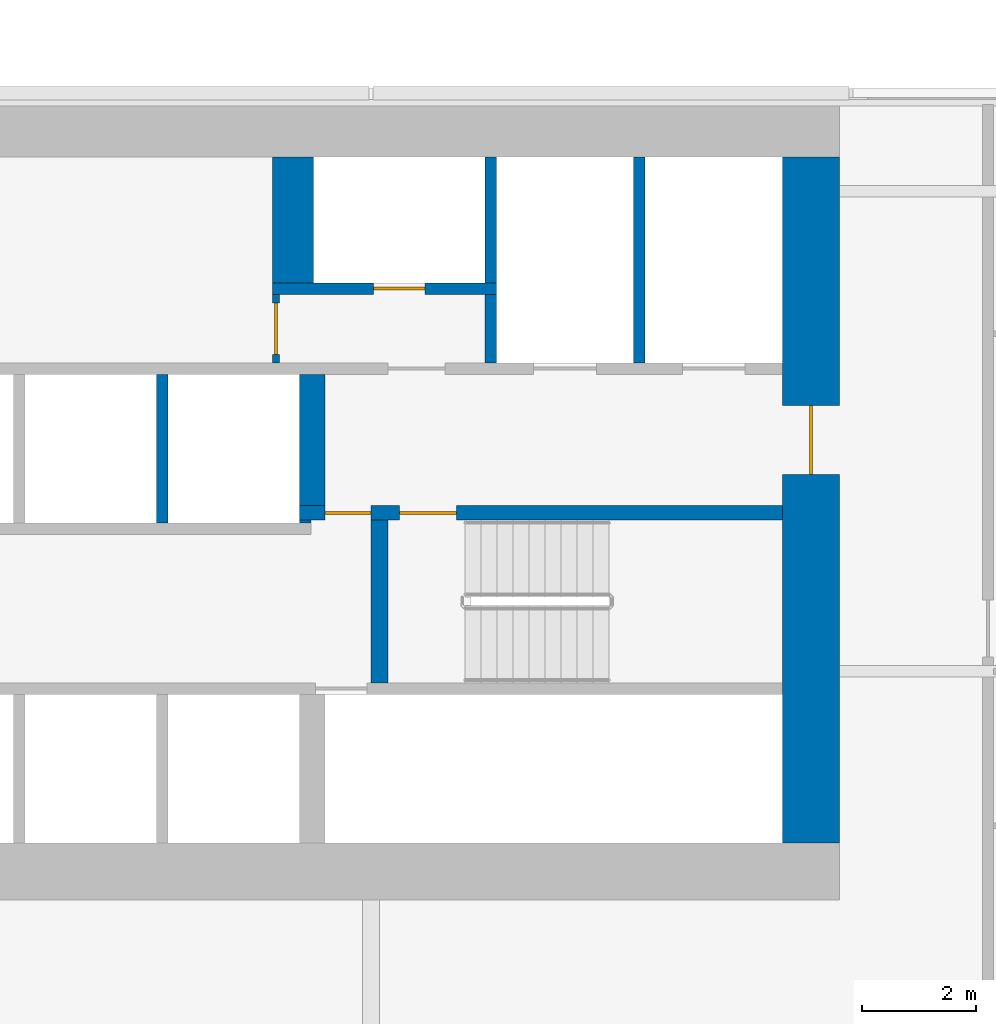
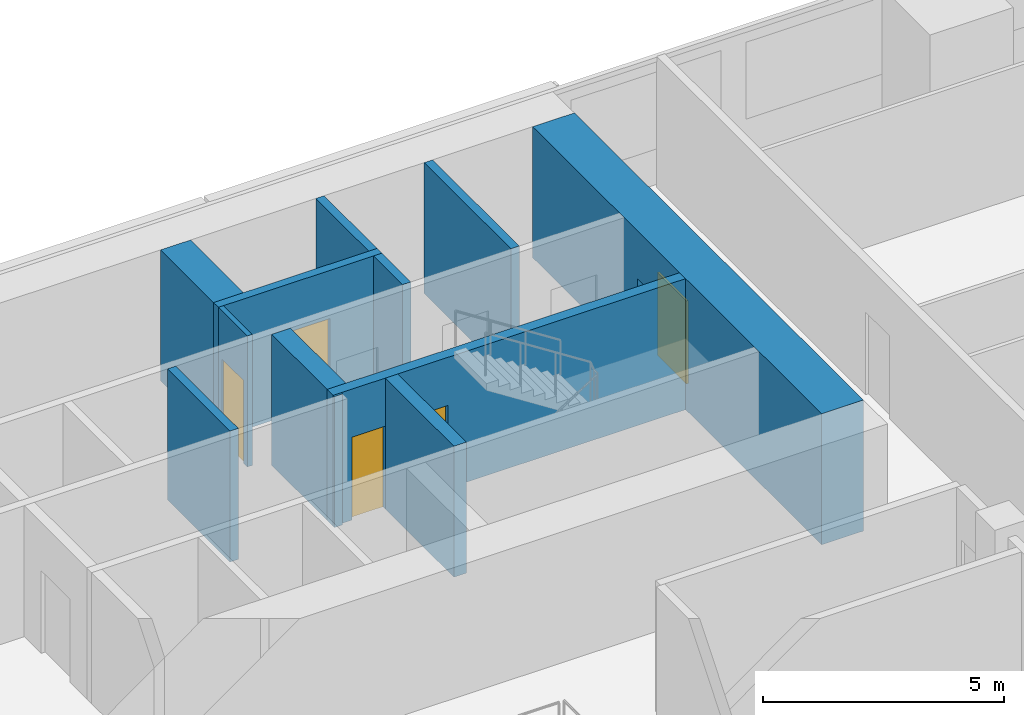
# One storey, part 23 of 30: 12 walls, 5 doors, 5 openings.
"""IFC4 building model written with IfcOpenShell, lengths in metres."""

import ifcopenshell
import ifcopenshell.guid

model = None  # the IFC model being written
_history = None  # IfcOwnerHistory: only IFC2X3 demands one
_inside = {}  # id of a spatial element -> (the spatial element, [elements in it])
_under = {}  # id of a project, library or spatial element -> (it, [spatial elements below it])
_declared = {}  # id of a project -> (the project, [libraries it declares])
_typed = {}  # id of a type object -> (the type object, [elements of that type])
_made_of = {}  # id of a material, layer set ... -> (it, [elements and type objects made of it])


def new_model(schema):
    """Start an empty IFC model of exactly this schema.

    Asked for "IFC4X3", IfcOpenShell would pick the latest addendum, in which some entities
    have other attributes; the version numbers below select the first issue.
    IFC2X3 requires an IfcOwnerHistory on every rooted entity: one is made here for all.
    """
    global model, _history
    if schema == "IFC4X3":
        model = ifcopenshell.file(schema_version=(4, 3, 0, 0))
    else:
        model = ifcopenshell.file(schema=schema)
    _inside.clear()
    _under.clear()
    _declared.clear()
    _typed.clear()
    _made_of.clear()
    _history = None
    if model.schema == "IFC2X3":
        org = make("IfcOrganization", Name="unknown")
        user = make(
            "IfcPersonAndOrganization",
            ThePerson=make("IfcPerson", FamilyName="unknown"),
            TheOrganization=org,
        )
        app = make(
            "IfcApplication",
            ApplicationDeveloper=org,
            Version="unknown",
            ApplicationFullName="unknown",
            ApplicationIdentifier="unknown",
        )
        _history = make(
            "IfcOwnerHistory",
            OwningUser=user,
            OwningApplication=app,
            ChangeAction="ADDED",
            CreationDate=0,
        )
    return model


def make(cls, **values):
    """One entity of the class cls with the attributes given. An attribute that is None is left unset."""
    return model.create_entity(
        cls, **{name: value for name, value in values.items() if value is not None}
    )


def rooted(cls, **values):
    """An entity with a GlobalId (a new one), such as an element, a storey or a relation."""
    return make(cls, GlobalId=ifcopenshell.guid.new(), OwnerHistory=_history, **values)


def si_unit(unit_type, name, prefix=None):
    """IfcSIUnit, for example si_unit("LENGTHUNIT", "METRE", prefix="MILLI")."""
    return make("IfcSIUnit", UnitType=unit_type, Prefix=prefix, Name=name)


def assignment(units):
    """IfcUnitAssignment: the units of a project."""
    return None if units is None else make("IfcUnitAssignment", Units=units)


def point(xyz):
    """IfcCartesianPoint."""
    return None if xyz is None else make("IfcCartesianPoint", Coordinates=xyz)


def direction(xyz):
    """IfcDirection."""
    return None if xyz is None else make("IfcDirection", DirectionRatios=xyz)


def frame(location, z_axis=None, x_axis=None):
    """IfcAxis2Placement3D, a coordinate frame: its origin and axes. An axis left out is left unset."""
    return make(
        "IfcAxis2Placement3D",
        Location=point(location),
        Axis=direction(z_axis),
        RefDirection=direction(x_axis),
    )


def frame_2d(location, x_axis=None):
    """IfcAxis2Placement2D, a coordinate frame in the plane: its origin and x axis."""
    return make(
        "IfcAxis2Placement2D", Location=point(location), RefDirection=direction(x_axis)
    )


def origin():
    """The frame at (0, 0, 0) with its axes left unset."""
    return frame((0.0, 0.0, 0.0))


def place(relative_to, where):
    """IfcLocalPlacement: puts the frame where relative to a parent placement (None: the world)."""
    return make(
        "IfcLocalPlacement", PlacementRelTo=relative_to, RelativePlacement=where
    )


def context(
    kind, dimensions, precision=None, world=None, true_north=None, identifier=None
):
    """IfcGeometricRepresentationContext, for example the 3D "Model" context."""
    return make(
        "IfcGeometricRepresentationContext",
        ContextIdentifier=identifier,
        ContextType=kind,
        CoordinateSpaceDimension=dimensions,
        Precision=precision,
        WorldCoordinateSystem=world,
        TrueNorth=true_north,
    )


def subcontext(parent, identifier, kind, view, scale=None):
    """IfcGeometricRepresentationSubContext, for example "Body" below "Model"."""
    return make(
        "IfcGeometricRepresentationSubContext",
        ContextIdentifier=identifier,
        ContextType=kind,
        ParentContext=parent,
        TargetScale=scale,
        TargetView=view,
    )


def project(units=None, contexts=None):
    """IfcProject with its units and contexts."""
    return rooted(
        "IfcProject",
        Name="project",
        RepresentationContexts=contexts,
        UnitsInContext=assignment(units),
    )


def spatial(cls, under=None, at=None, **own):
    """A site, building, storey or space (cls), placed at a placement, below another one or the project."""
    s = rooted(cls, ObjectPlacement=at, **own)
    if under is not None:
        _under.setdefault(under.id(), (under, []))[1].append(s)
    return s


def profile(cls, at=None, kind="AREA", **sizes):
    """A parametric profile (cls). Its sizes go by their IFC names, for example OverallWidth=200.0."""
    return make(cls, ProfileType=kind, Position=at, **sizes)


def rectangle(**sizes):
    """IfcRectangleProfileDef."""
    return profile("IfcRectangleProfileDef", **sizes)


def extrude(swept, where, along, depth):
    """IfcExtrudedAreaSolid: the profile swept, set in the frame where, extruded along a direction by depth."""
    return make(
        "IfcExtrudedAreaSolid",
        SweptArea=swept,
        Position=where,
        ExtrudedDirection=direction(along),
        Depth=depth,
    )


def shape(context_of_items, identifier, shape_type, items):
    """IfcShapeRepresentation: the items that make up one representation, for example the "Body"."""
    return make(
        "IfcShapeRepresentation",
        ContextOfItems=context_of_items,
        RepresentationIdentifier=identifier,
        RepresentationType=shape_type,
        Items=items,
    )


def material(Name=None, Category=None):
    """IfcMaterial."""
    return make("IfcMaterial", Name=Name, Category=Category)


def layer(
    of_material, thickness, ventilated=None, Name=None, Category=None, Priority=None
):
    """IfcMaterialLayer: one layer of a wall or slab, of a material (None: an air gap)."""
    return make(
        "IfcMaterialLayer",
        Material=of_material,
        LayerThickness=thickness,
        IsVentilated=ventilated,
        Name=Name,
        Category=Category,
        Priority=Priority,
    )


def layer_set(layers, Name=None):
    """IfcMaterialLayerSet."""
    return make("IfcMaterialLayerSet", MaterialLayers=layers, LayerSetName=Name)


def made_of(thing, what):
    """Note that an element or type object is made of a material, layer set ...; save() writes the relation."""
    if what is not None:
        _made_of.setdefault(what.id(), (what, []))[1].append(thing)
    return thing


def type_object(cls, material=None, **own):
    """A type object (cls), such as IfcWallType, which elements share."""
    return made_of(rooted(cls, **own), material)


def element(
    cls,
    number,
    at=None,
    inside=None,
    cuts=None,
    type_object=None,
    material=None,
    context=None,
    identifier="Body",
    shape_type=None,
    held_by="IfcProductDefinitionShape",
    body=None,
    shapes=None,
    **own,
):
    """One element of the class cls, such as IfcWall. Its Tag is "e" and its number.

    at: its placement. inside: the storey or other place that contains it. cuts: it is an
    opening in that element (IfcRelVoidsElement). A single representation is given by context,
    identifier, shape_type and body (its items); several are given by shapes. held_by: the class
    of the entity that holds the representations. save() writes the other relations.
    """
    e = rooted(cls, Tag="e%d" % number, ObjectPlacement=at, **own)
    if body is not None:
        shapes = [shape(context, identifier, shape_type, body)]
    if shapes is not None:
        e.Representation = make(held_by, Representations=shapes)
    if inside is not None:
        _inside.setdefault(inside.id(), (inside, []))[1].append(e)
    if cuts is not None:
        rooted(
            "IfcRelVoidsElement", RelatingBuildingElement=cuts, RelatedOpeningElement=e
        )
    if type_object is not None:
        _typed.setdefault(type_object.id(), (type_object, []))[1].append(e)
    return made_of(e, material)


def fill(opening, filler):
    """IfcRelFillsElement: the door or window that sits in an opening."""
    return rooted(
        "IfcRelFillsElement",
        RelatingOpeningElement=opening,
        RelatedBuildingElement=filler,
    )


def aggregate(whole, parts):
    """IfcRelAggregates: a whole, such as a stair, and the parts it consists of."""
    return rooted("IfcRelAggregates", RelatingObject=whole, RelatedObjects=parts)


def save(model, path):
    """Write the relations noted so far, then the file.

    IfcRelAggregates (storeys below a building ...), IfcRelContainedInSpatialStructure (elements
    in a storey), IfcRelDefinesByType, IfcRelAssociatesMaterial and IfcRelDeclares: one each for
    every whole, place, type object, material and project.
    """
    for whole, parts in _under.values():
        aggregate(whole, parts)
    for where, things in _inside.values():
        rooted(
            "IfcRelContainedInSpatialStructure",
            RelatedElements=things,
            RelatingStructure=where,
        )
    for kind, things in _typed.values():
        rooted("IfcRelDefinesByType", RelatedObjects=things, RelatingType=kind)
    for what, things in _made_of.values():
        rooted("IfcRelAssociatesMaterial", RelatedObjects=things, RelatingMaterial=what)
    for by, libraries in _declared.values():
        rooted("IfcRelDeclares", RelatingContext=by, RelatedDefinitions=libraries)
    model.write(path)


model = new_model("IFC4")

# Units and contexts
model_context = context("Model", 3, precision=1e-05, world=origin(), true_north=direction((0.0, 1.0)))
body_context = subcontext(model_context, "Body", "Model", "MODEL_VIEW")
ifc_project = project(units=[si_unit("LENGTHUNIT", "METRE"), si_unit("AREAUNIT", "SQUARE_METRE"), si_unit("VOLUMEUNIT", "CUBIC_METRE"), si_unit("PLANEANGLEUNIT", "RADIAN"), si_unit("MASSUNIT", "GRAM", prefix="KILO")], contexts=[model_context])

# Site, building, storey
site_placement = place(None, origin())
site = spatial("IfcSite", under=ifc_project, at=site_placement, CompositionType="ELEMENT")
building_placement = place(site_placement, origin())
building = spatial("IfcBuilding", under=site, at=building_placement, Name="Saffron Gate Tower", CompositionType="ELEMENT")
storey_placement = place(building_placement, frame((0.0, 0.0, 127.64990234375)))
storey = spatial("IfcBuildingStorey", under=building, at=storey_placement, Name="L30", CompositionType="ELEMENT", Elevation=127.64990234375)

# Wall
ifc_material_1 = material(Name="Concrete C70", Category="concrete")
ifc_layer_1 = layer(ifc_material_1, 0.719970703125)
ifc_layer_set_1 = layer_set([ifc_layer_1], Name="CW11 RC core wall 720 C70")
wall_type_1 = type_object("IfcWallType", Name="CW11 RC core wall 720 C70", PredefinedType="SOLIDWALL", material=ifc_layer_set_1)
wall_1_placement = place(storey_placement, frame((98.840087890625, 72.199951171875, 0.0), z_axis=(0.0, 0.0, 1.0), x_axis=(0.0, 1.0, 0.0)))
element("IfcWall", 1, at=wall_1_placement, inside=storey, type_object=wall_type_1, Name="Wall CW11-L30-48", PredefinedType="SOLIDWALL", context=body_context, shape_type="SweptSolid", body=[
    extrude(rectangle(XDim=2.199951171875, YDim=0.719970703125, at=frame_2d((1.10009765625, 0.0))), origin(), (0.0, 0.0, 1.0), 3.320068359375),
])

# Wall, opening, door
ifc_layer_2 = layer(ifc_material_1, 1.0)
ifc_layer_set_2 = layer_set([ifc_layer_2], Name="CW12 RC core wall 1000 C70")
wall_type_2 = type_object("IfcWallType", Name="CW12 RC core wall 1000 C70", PredefinedType="SOLIDWALL", material=ifc_layer_set_2)
wall_2_placement = place(storey_placement, frame((107.89990234375, 62.39990234375, 0.0), z_axis=(0.0, 0.0, 1.0), x_axis=(0.0, 1.0, 0.0)))
wall_2 = element("IfcWall", 2, at=wall_2_placement, inside=storey, type_object=wall_type_2, Name="Wall CW12-L30-4", PredefinedType="SOLIDWALL", context=body_context, shape_type="SweptSolid", body=[
    extrude(rectangle(XDim=12.0, YDim=1.0, at=frame_2d((6.0, 0.0))), origin(), (0.0, 0.0, 1.0), 3.320068359375),
])
opening_1_placement = place(wall_2_placement, frame((6.449951171875, 0.0, 0.0)))
opening_1 = element("IfcOpeningElement", 3, at=opening_1_placement, cuts=wall_2, Name="Opening CR-08", PredefinedType="OPENING", context=body_context, shape_type="SweptSolid", body=[
    extrude(rectangle(XDim=1.199951171875, YDim=2.10009765625, at=frame_2d((0.60009765625, 1.050048828125))), frame((0.0, 0.510009765625, 0.0), z_axis=(0.0, -1.0, 0.0), x_axis=(1.0, 0.0, 0.0)), (0.0, 0.0, 1.0), 1.02001953125),
])
ifc_material_2 = material(Name="Steel fire door set", Category="steel")
door_type_1 = type_object("IfcDoorType", Name="CD7 Core entrance door 1200x2100 EI 120", OperationType="NOTDEFINED", PredefinedType="DOOR", material=ifc_material_2)
door_1_placement = place(opening_1_placement, origin())
door_1 = element("IfcDoor", 4, at=door_1_placement, inside=storey, type_object=door_type_1, Name="DOOR CR-08", OperationType="SINGLE_SWING_RIGHT", OverallHeight=2.10009765625, OverallWidth=1.199951171875, PredefinedType="DOOR", context=body_context, shape_type="SweptSolid", body=[
    extrude(rectangle(XDim=1.199951171875, YDim=2.10009765625, at=frame_2d((0.60009765625, 1.050048828125))), frame((0.0, 0.02490234375, 0.0), z_axis=(0.0, -1.0, 0.0), x_axis=(1.0, 0.0, 0.0)), (0.0, 0.0, 1.0), 0.050048828125),
])
fill(opening_1, door_1)

# Wall, openings, doors
ifc_layer_3 = layer(ifc_material_1, 0.25)
ifc_layer_set_3 = layer_set([ifc_layer_3], Name="CW2 RC core wall 250 C70")
wall_type_3 = type_object("IfcWallType", Name="CW2 RC core wall 250 C70", PredefinedType="SOLIDWALL", material=ifc_layer_set_3)
wall_3_placement = place(storey_placement, frame((98.949951171875, 68.175048828125, 0.0), z_axis=(0.0, 0.0, 1.0), x_axis=(1.0, 0.0, 0.0)))
wall_3 = element("IfcWall", 5, at=wall_3_placement, inside=storey, type_object=wall_type_3, Name="Wall CW2-L30-31", PredefinedType="SOLIDWALL", context=body_context, shape_type="SweptSolid", body=[
    extrude(rectangle(XDim=8.449951171875, YDim=0.25, at=frame_2d((4.22509765625, 0.0))), origin(), (0.0, 0.0, 1.0), 3.320068359375),
])
opening_2_placement = place(wall_3_placement, frame((0.449951171875, 0.0, 0.0)))
opening_2 = element("IfcOpeningElement", 6, at=opening_2_placement, cuts=wall_3, Name="Opening CR-05", PredefinedType="OPENING", context=body_context, shape_type="SweptSolid", body=[
    extrude(rectangle(XDim=0.800048828125, YDim=2.10009765625, at=frame_2d((0.39990234375, 1.050048828125))), frame((0.0, 0.135009765625, 0.0), z_axis=(0.0, -1.0, 0.0), x_axis=(1.0, 0.0, 0.0)), (0.0, 0.0, 1.0), 0.27001953125),
])
opening_3_placement = place(wall_3_placement, frame((1.75, 0.0, 0.0)))
opening_3 = element("IfcOpeningElement", 7, at=opening_3_placement, cuts=wall_3, Name="Opening CR-16", PredefinedType="OPENING", context=body_context, shape_type="SweptSolid", body=[
    extrude(rectangle(XDim=1.0, YDim=2.10009765625, at=frame_2d((0.5, 1.050048828125))), frame((0.0, 0.135009765625, 0.0), z_axis=(0.0, -1.0, 0.0), x_axis=(1.0, 0.0, 0.0)), (0.0, 0.0, 1.0), 0.27001953125),
])
door_type_2 = type_object("IfcDoorType", Name="CD5 Stair door 1000x2100 EI 120", OperationType="NOTDEFINED", PredefinedType="DOOR", material=ifc_material_2)
door_2_placement = place(opening_3_placement, origin())
door_2 = element("IfcDoor", 8, at=door_2_placement, inside=storey, type_object=door_type_2, Name="DOOR CR-16", OperationType="SINGLE_SWING_RIGHT", OverallHeight=2.10009765625, OverallWidth=1.0, PredefinedType="DOOR", context=body_context, shape_type="SweptSolid", body=[
    extrude(rectangle(XDim=1.0, YDim=2.10009765625, at=frame_2d((0.5, 1.050048828125))), frame((0.0, 0.02490234375, 0.0), z_axis=(0.0, -1.0, 0.0), x_axis=(1.0, 0.0, 0.0)), (0.0, 0.0, 1.0), 0.050048828125),
])
fill(opening_3, door_2)
door_type_3 = type_object("IfcDoorType", Name="CD6 Lobby door 800x2100 EI 120", OperationType="NOTDEFINED", PredefinedType="DOOR", material=ifc_material_2)
door_3_placement = place(opening_2_placement, origin())
door_3 = element("IfcDoor", 9, at=door_3_placement, inside=storey, type_object=door_type_3, Name="DOOR CR-05", OperationType="SINGLE_SWING_LEFT", OverallHeight=2.10009765625, OverallWidth=0.800048828125, PredefinedType="DOOR", context=body_context, shape_type="SweptSolid", body=[
    extrude(rectangle(XDim=0.800048828125, YDim=2.10009765625, at=frame_2d((0.39990234375, 1.050048828125))), frame((0.0, 0.02490234375, 0.0), z_axis=(0.0, -1.0, 0.0), x_axis=(1.0, 0.0, 0.0)), (0.0, 0.0, 1.0), 0.050048828125),
])
fill(opening_2, door_3)

# Walls
ifc_layer_4 = layer(ifc_material_1, 0.199951171875)
ifc_layer_set_4 = layer_set([ifc_layer_4], Name="CW3 RC core wall 200 C70")
wall_type_4 = type_object("IfcWallType", Name="CW3 RC core wall 200 C70", PredefinedType="SOLIDWALL", material=ifc_layer_set_4)
wall_4_placement = place(storey_placement, frame((96.550048828125, 68.0, 0.0), z_axis=(0.0, 0.0, 1.0), x_axis=(0.0, 1.0, 0.0)))
element("IfcWall", 10, at=wall_4_placement, inside=storey, type_object=wall_type_4, Name="Wall CW3-L30-28", PredefinedType="SOLIDWALL", context=body_context, shape_type="SweptSolid", body=[
    extrude(rectangle(XDim=2.60009765625, YDim=0.199951171875, at=frame_2d((1.300048828125, 0.0))), origin(), (0.0, 0.0, 1.0), 3.320068359375),
])
wall_5_placement = place(storey_placement, frame((102.300048828125, 70.800048828125, 0.0), z_axis=(0.0, 0.0, 1.0), x_axis=(0.0, 1.0, 0.0)))
element("IfcWall", 11, at=wall_5_placement, inside=storey, type_object=wall_type_4, Name="Wall CW3-L30-41", PredefinedType="SOLIDWALL", context=body_context, shape_type="SweptSolid", body=[
    extrude(rectangle(XDim=1.199951171875, YDim=0.199951171875, at=frame_2d((0.60009765625, 0.0))), origin(), (0.0, 0.0, 1.0), 3.320068359375),
])
wall_6_placement = place(storey_placement, frame((104.89990234375, 70.800048828125, 0.0), z_axis=(0.0, 0.0, 1.0), x_axis=(0.0, 1.0, 0.0)))
element("IfcWall", 12, at=wall_6_placement, inside=storey, type_object=wall_type_4, Name="Wall CW3-L30-42", PredefinedType="SOLIDWALL", context=body_context, shape_type="SweptSolid", body=[
    extrude(rectangle(XDim=3.599853515625, YDim=0.199951171875, at=frame_2d((1.7998046875, 0.0))), origin(), (0.0, 0.0, 1.0), 3.320068359375),
])

# Wall, opening, door
wall_7_placement = place(storey_placement, frame((98.47998046875, 72.10009765625, 0.0), z_axis=(0.0, 0.0, 1.0), x_axis=(1.0, 0.0, 0.0)))
wall_7 = element("IfcWall", 13, at=wall_7_placement, inside=storey, type_object=wall_type_4, Name="Wall CW3-L30-44", PredefinedType="SOLIDWALL", context=body_context, shape_type="SweptSolid", body=[
    extrude(rectangle(XDim=3.919921875, YDim=0.199951171875, at=frame_2d((1.9599609375, 0.0))), origin(), (0.0, 0.0, 1.0), 3.320068359375),
])
opening_4_placement = place(wall_7_placement, frame((1.77001953125, 0.0, 0.0)))
opening_4 = element("IfcOpeningElement", 14, at=opening_4_placement, cuts=wall_7, Name="Opening CR-70", PredefinedType="OPENING", context=body_context, shape_type="SweptSolid", body=[
    extrude(rectangle(XDim=0.89990234375, YDim=2.10009765625, at=frame_2d((0.449951171875, 1.050048828125))), frame((0.0, 0.10986328125, 0.0), z_axis=(0.0, -1.0, 0.0), x_axis=(1.0, 0.0, 0.0)), (0.0, 0.0, 1.0), 0.219970703125),
])
door_type_4 = type_object("IfcDoorType", Name="CD2 Riser door 900x2100 EI 60", OperationType="NOTDEFINED", PredefinedType="DOOR", material=ifc_material_2)
door_4_placement = place(opening_4_placement, origin())
door_4 = element("IfcDoor", 15, at=door_4_placement, inside=storey, type_object=door_type_4, Name="DOOR CR-70", OperationType="SINGLE_SWING_LEFT", OverallHeight=2.10009765625, OverallWidth=0.89990234375, PredefinedType="DOOR", context=body_context, shape_type="SweptSolid", body=[
    extrude(rectangle(XDim=0.89990234375, YDim=2.10009765625, at=frame_2d((0.449951171875, 1.050048828125))), frame((0.0, 0.02490234375, 0.0), z_axis=(0.0, -1.0, 0.0), x_axis=(1.0, 0.0, 0.0)), (0.0, 0.0, 1.0), 0.050048828125),
])
fill(opening_4, door_4)

# Walls
wall_8_placement = place(storey_placement, frame((102.300048828125, 72.199951171875, 0.0), z_axis=(0.0, 0.0, 1.0), x_axis=(0.0, 1.0, 0.0)))
element("IfcWall", 16, at=wall_8_placement, inside=storey, type_object=wall_type_4, Name="Wall CW3-L30-49", PredefinedType="SOLIDWALL", context=body_context, shape_type="SweptSolid", body=[
    extrude(rectangle(XDim=2.199951171875, YDim=0.199951171875, at=frame_2d((1.10009765625, 0.0))), origin(), (0.0, 0.0, 1.0), 3.320068359375),
])
ifc_layer_5 = layer(ifc_material_1, 0.449951171875)
ifc_layer_set_5 = layer_set([ifc_layer_5], Name="CW4 RC core wall 450 C70")
wall_type_5 = type_object("IfcWallType", Name="CW4 RC core wall 450 C70", PredefinedType="SOLIDWALL", material=ifc_layer_set_5)
wall_9_placement = place(storey_placement, frame((99.175048828125, 68.300048828125, 0.0), z_axis=(0.0, 0.0, 1.0), x_axis=(0.0, 1.0, 0.0)))
element("IfcWall", 17, at=wall_9_placement, inside=storey, type_object=wall_type_5, Name="Wall CW4-L30-33", PredefinedType="SOLIDWALL", context=body_context, shape_type="SweptSolid", body=[
    extrude(rectangle(XDim=2.300048828125, YDim=0.449951171875, at=frame_2d((1.14990234375, 0.0))), origin(), (0.0, 0.0, 1.0), 3.320068359375),
])
ifc_layer_6 = layer(ifc_material_1, 0.300048828125)
ifc_layer_set_6 = layer_set([ifc_layer_6], Name="CW5 RC core wall 300 C70")
wall_type_6 = type_object("IfcWallType", Name="CW5 RC core wall 300 C70", PredefinedType="SOLIDWALL", material=ifc_layer_set_6)
wall_10_placement = place(storey_placement, frame((100.35009765625, 65.199951171875, 0.0), z_axis=(0.0, 0.0, 1.0), x_axis=(0.0, 1.0, 0.0)))
element("IfcWall", 18, at=wall_10_placement, inside=storey, type_object=wall_type_6, Name="Wall CW5-L30-19", PredefinedType="SOLIDWALL", context=body_context, shape_type="SweptSolid", body=[
    extrude(rectangle(XDim=2.85009765625, YDim=0.300048828125, at=frame_2d((1.425048828125, 0.0))), origin(), (0.0, 0.0, 1.0), 3.320068359375),
])
ifc_layer_7 = layer(ifc_material_1, 0.050048828125)
ifc_layer_set_7 = layer_set([ifc_layer_7], Name="CW6 RC core wall 50 C70")
wall_type_7 = type_object("IfcWallType", Name="CW6 RC core wall 50 C70", PredefinedType="SOLIDWALL", material=ifc_layer_set_7)
wall_11_placement = place(storey_placement, frame((98.949951171875, 68.02490234375, 0.0), z_axis=(0.0, 0.0, 1.0), x_axis=(1.0, 0.0, 0.0)))
element("IfcWall", 19, at=wall_11_placement, inside=storey, type_object=wall_type_7, Name="Wall CW6-L30-29", PredefinedType="SOLIDWALL", context=body_context, shape_type="SweptSolid", body=[
    extrude(rectangle(XDim=0.199951171875, YDim=0.050048828125, at=frame_2d((0.10009765625, 0.0))), origin(), (0.0, 0.0, 1.0), 3.320068359375),
])

# Wall, opening, door
ifc_material_3 = material(Name="Gypsum board partition on steel studs", Category="steel")
ifc_layer_8 = layer(ifc_material_3, 0.1201171875)
ifc_layer_set_8 = layer_set([ifc_layer_8], Name="CW8 Core partition 120")
wall_type_8 = type_object("IfcWallType", Name="CW8 Core partition 120", PredefinedType="PARTITIONING", material=ifc_layer_set_8)
wall_12_placement = place(storey_placement, frame((98.5400390625, 70.800048828125, 0.0), z_axis=(0.0, 0.0, 1.0), x_axis=(0.0, 1.0, 0.0)))
wall_12 = element("IfcWall", 20, at=wall_12_placement, inside=storey, type_object=wall_type_8, Name="Wall CW8-L30-40", PredefinedType="PARTITIONING", context=body_context, shape_type="SweptSolid", body=[
    extrude(rectangle(XDim=1.199951171875, YDim=0.1201171875, at=frame_2d((0.60009765625, 0.0))), origin(), (0.0, 0.0, 1.0), 3.320068359375),
])
opening_5_placement = place(wall_12_placement, frame((0.14990234375, 0.0, 0.0)))
opening_5 = element("IfcOpeningElement", 21, at=opening_5_placement, cuts=wall_12, Name="Opening CR-54", PredefinedType="OPENING", context=body_context, shape_type="SweptSolid", body=[
    extrude(rectangle(XDim=0.89990234375, YDim=2.10009765625, at=frame_2d((0.449951171875, 1.050048828125))), frame((0.0, 0.070068359375, 0.0), z_axis=(0.0, -1.0, 0.0), x_axis=(1.0, 0.0, 0.0)), (0.0, 0.0, 1.0), 0.14013671875),
])
door_type_5 = type_object("IfcDoorType", Name="CD9 Room door 900x2100 EI 60", OperationType="NOTDEFINED", PredefinedType="DOOR", material=ifc_material_2)
door_5_placement = place(opening_5_placement, origin())
door_5 = element("IfcDoor", 22, at=door_5_placement, inside=storey, type_object=door_type_5, Name="DOOR CR-54", OperationType="SINGLE_SWING_LEFT", OverallHeight=2.10009765625, OverallWidth=0.89990234375, PredefinedType="DOOR", context=body_context, shape_type="SweptSolid", body=[
    extrude(rectangle(XDim=0.89990234375, YDim=2.10009765625, at=frame_2d((0.449951171875, 1.050048828125))), frame((0.0, 0.02490234375, 0.0), z_axis=(0.0, -1.0, 0.0), x_axis=(1.0, 0.0, 0.0)), (0.0, 0.0, 1.0), 0.050048828125),
])
fill(opening_5, door_5)

save(model, "model.ifc")
